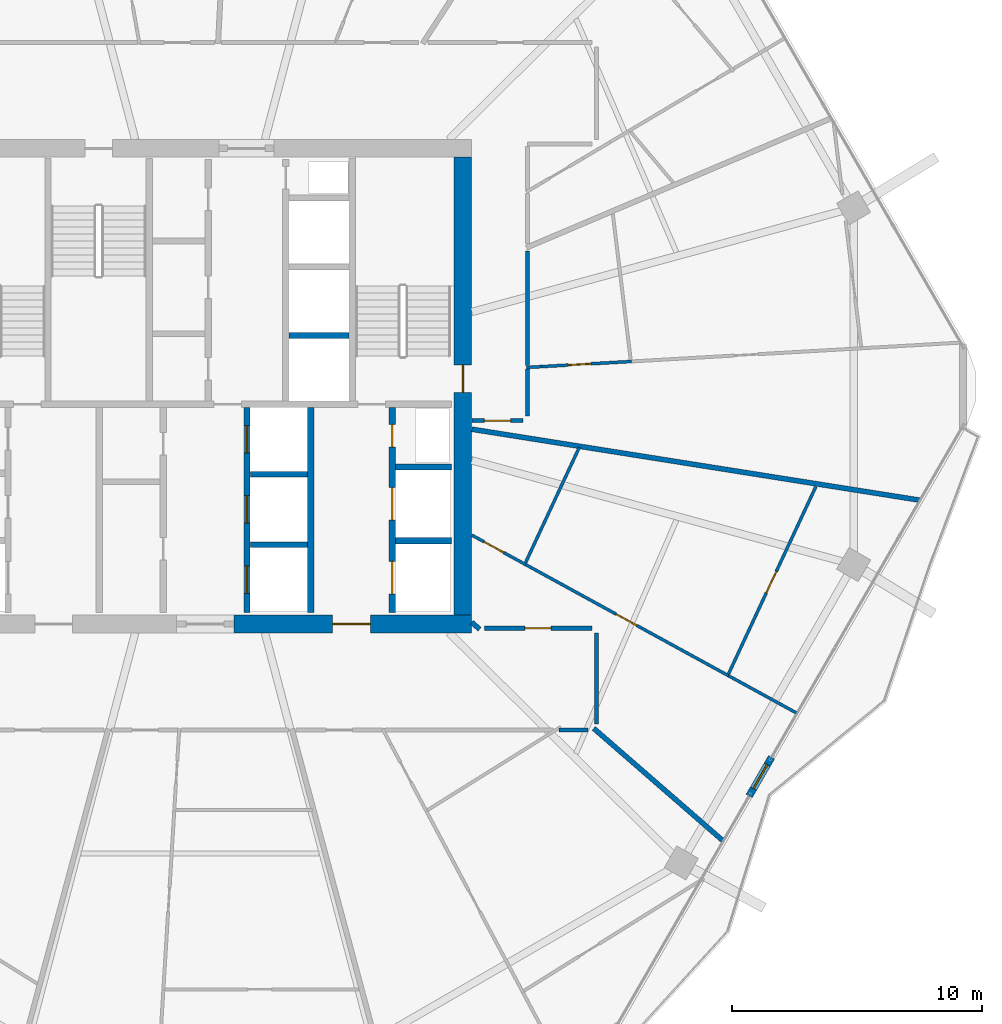
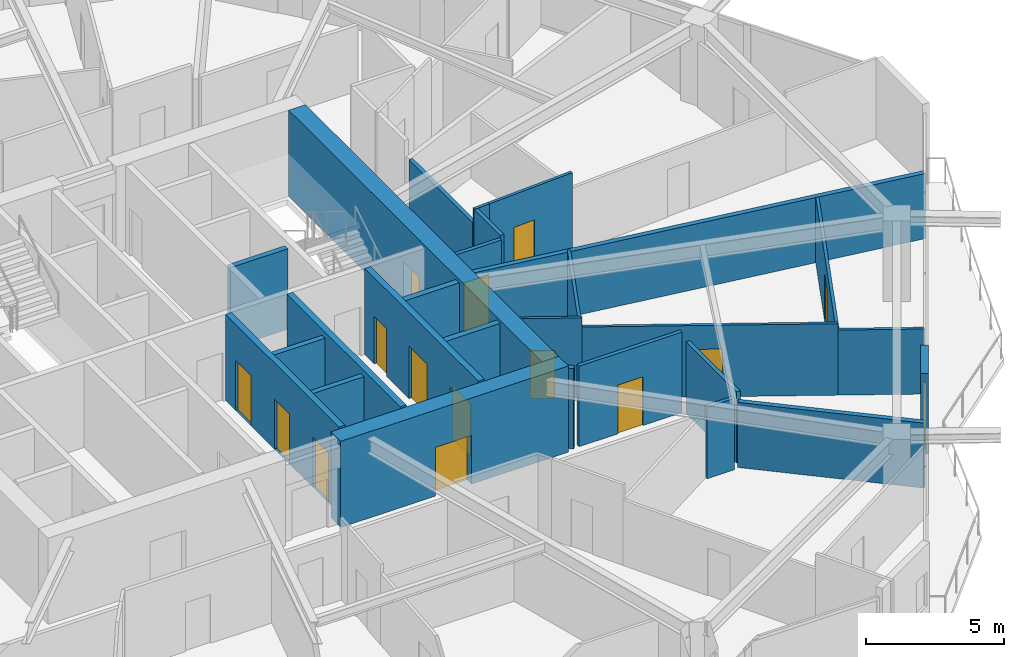
# One storey, part 19 of 26: 27 walls, 15 doors, 15 openings.
"""IFC4 building model written with IfcOpenShell, lengths in metres."""

from ifc_helpers import new_model, si_unit, direction, frame, frame_2d, origin, place, context, subcontext, project, spatial, rectangle, extrude, material, layer, layer_set, type_object, element, fill, save


model = new_model("IFC4")

# Units and contexts
model_context = context("Model", 3, precision=1e-05, world=origin(), true_north=direction((0.0, 1.0)))
body_context = subcontext(model_context, "Body", "Model", "MODEL_VIEW")
ifc_project = project(units=[si_unit("LENGTHUNIT", "METRE"), si_unit("AREAUNIT", "SQUARE_METRE"), si_unit("VOLUMEUNIT", "CUBIC_METRE"), si_unit("PLANEANGLEUNIT", "RADIAN"), si_unit("MASSUNIT", "GRAM", prefix="KILO")], contexts=[model_context])

# Site, building, storey
site_placement = place(None, origin())
site = spatial("IfcSite", under=ifc_project, at=site_placement, CompositionType="ELEMENT")
building_placement = place(site_placement, origin())
building = spatial("IfcBuilding", under=site, at=building_placement, Name="Zuhravey Tower", CompositionType="ELEMENT")
storey_placement = place(building_placement, frame((0.0, 0.0, 165.60009765625)))
storey = spatial("IfcBuildingStorey", under=building, at=storey_placement, Name="L41", CompositionType="ELEMENT", Elevation=165.60009765625)

# Wall, opening, door
ifc_material_1 = material(Name="Concrete C60/75", Category="concrete")
ifc_layer_1 = layer(ifc_material_1, 0.699951171875)
ifc_layer_set_1 = layer_set([ifc_layer_1], Name="Concrete C60/75")
wall_type_1 = type_object("IfcWallType", Name="Core Shear Wall 700", PredefinedType="SHEAR", material=ifc_layer_set_1)
wall_1_placement = place(storey_placement, frame((37.35009765625, 22.5, 0.0), z_axis=(0.0, 0.0, 1.0), x_axis=(1.0, 0.0, 0.0)))
wall_1 = element("IfcWall", 1, at=wall_1_placement, inside=storey, type_object=wall_type_1, Name="L41 South-East Core Shear Wall CW70", PredefinedType="SHEAR", context=body_context, shape_type="SweptSolid", body=[
    extrude(rectangle(XDim=9.5, YDim=0.699951171875, at=frame_2d((4.75, 0.0))), origin(), (0.0, 0.0, 1.0), 3.7998046875),
])
opening_1_placement = place(wall_1_placement, frame((3.949951171875, 0.0, 0.0)))
opening_1 = element("IfcOpeningElement", 2, at=opening_1_placement, cuts=wall_1, Name="Opening FFD1", PredefinedType="OPENING", context=body_context, shape_type="SweptSolid", body=[
    extrude(rectangle(XDim=1.5, YDim=2.14990234375, at=frame_2d((0.75, 1.074951171875))), frame((0.0, 0.362060546875, 0.0), z_axis=(0.0, -1.0, 0.0), x_axis=(1.0, 0.0, 0.0)), (0.0, 0.0, 1.0), 0.723876953125),
])
ifc_material_2 = material(Name="Galvanised fire-rated steel leaf", Category="steel")
door_type_1 = type_object("IfcDoorType", Name="Firefighting Lobby Double Door 1500x2150", OperationType="DOUBLE_DOOR_SINGLE_SWING", PredefinedType="DOOR", material=ifc_material_2)
door_1_placement = place(opening_1_placement, origin())
door_1 = element("IfcDoor", 3, at=door_1_placement, inside=storey, type_object=door_type_1, Name="L41 Firefighting Lobby East Door", OperationType="DOUBLE_DOOR_SINGLE_SWING", OverallHeight=2.14990234375, OverallWidth=1.5, PredefinedType="DOOR", context=body_context, shape_type="SweptSolid", body=[
    extrude(rectangle(XDim=1.5, YDim=2.14990234375, at=frame_2d((0.75, 1.074951171875))), frame((0.0, 0.02490234375, 0.0), z_axis=(0.0, -1.0, 0.0), x_axis=(1.0, 0.0, 0.0)), (0.0, 0.0, 1.0), 0.050048828125),
])
fill(opening_1, door_1)

wall_2_placement = place(storey_placement, frame((46.5, 22.85009765625, 0.0), z_axis=(0.0, 0.0, 1.0), x_axis=(0.0, 1.0, 0.0)))
wall_2 = element("IfcWall", 4, at=wall_2_placement, inside=storey, type_object=wall_type_1, Name="L41 East Core Shear Wall CW70", PredefinedType="SHEAR", context=body_context, shape_type="SweptSolid", body=[
    extrude(rectangle(XDim=18.2998046875, YDim=0.699951171875, at=frame_2d((9.14990234375, 0.0))), origin(), (0.0, 0.0, 1.0), 3.7998046875),
])
opening_2_placement = place(wall_2_placement, frame((8.89990234375, 0.0, 0.0)))
opening_2 = element("IfcOpeningElement", 5, at=opening_2_placement, cuts=wall_2, Name="Opening STD1", PredefinedType="OPENING", context=body_context, shape_type="SweptSolid", body=[
    extrude(rectangle(XDim=1.10009765625, YDim=2.14990234375, at=frame_2d((0.550048828125, 1.074951171875))), frame((0.0, 0.362060546875, 0.0), z_axis=(0.0, -1.0, 0.0), x_axis=(1.0, 0.0, 0.0)), (0.0, 0.0, 1.0), 0.723876953125),
])
door_type_2 = type_object("IfcDoorType", Name="Protected Stair Fire Door 1100x2150", OperationType="NOTDEFINED", PredefinedType="USERDEFINED", material=ifc_material_2)
door_2_placement = place(opening_2_placement, origin())
door_2 = element("IfcDoor", 6, at=door_2_placement, inside=storey, type_object=door_type_2, Name="L41 Stair ST2 Door", ObjectType="EXITDOOR", OperationType="SINGLE_SWING_LEFT", OverallHeight=2.14990234375, OverallWidth=1.10009765625, PredefinedType="USERDEFINED", context=body_context, shape_type="SweptSolid", body=[
    extrude(rectangle(XDim=1.10009765625, YDim=2.14990234375, at=frame_2d((0.550048828125, 1.074951171875))), frame((0.0, 0.02490234375, 0.0), z_axis=(0.0, -1.0, 0.0), x_axis=(1.0, 0.0, 0.0)), (0.0, 0.0, 1.0), 0.050048828125),
])
fill(opening_2, door_2)

ifc_material_3 = material(Name="Gypsum fire-rated stud partition")
ifc_layer_2 = layer(ifc_material_3, 0.159912109375)
ifc_layer_set_2 = layer_set([ifc_layer_2], Name="Gypsum fire-rated stud partition")
wall_type_2 = type_object("IfcWallType", Name="Corridor Fire Partition 160", PredefinedType="PARTITIONING", material=ifc_layer_set_2)
wall_3_placement = place(storey_placement, frame((51.64990234375, 22.330078125, 0.0), z_axis=(0.0, 0.0, 1.0), x_axis=(-1.0, 0.0, 0.0)))
wall_3 = element("IfcWall", 7, at=wall_3_placement, inside=storey, type_object=wall_type_2, Name="L41 IW16 Partition 062", PredefinedType="PARTITIONING", context=body_context, shape_type="SweptSolid", body=[
    extrude(rectangle(XDim=4.297119140625, YDim=0.159912109375, at=frame_2d((2.1484375, 0.0))), origin(), (0.0, 0.0, 1.0), 3.5498046875),
])
opening_3_placement = place(wall_3_placement, frame((1.62353515625, 0.0, 0.0)))
opening_3 = element("IfcOpeningElement", 8, at=opening_3_placement, cuts=wall_3, Name="Opening APD1", PredefinedType="OPENING", context=body_context, shape_type="SweptSolid", body=[
    extrude(rectangle(XDim=1.050048828125, YDim=2.14990234375, at=frame_2d((0.52490234375, 1.074951171875))), frame((0.0, 0.092041015625, 0.0), z_axis=(0.0, -1.0, 0.0), x_axis=(1.0, 0.0, 0.0)), (0.0, 0.0, 1.0), 0.183837890625),
])
ifc_material_4 = material(Name="Solid-core oak fire-rated leaf")
door_type_3 = type_object("IfcDoorType", Name="Apartment Entrance Fire Door 1050x2150", OperationType="NOTDEFINED", PredefinedType="DOOR", material=ifc_material_4)
door_3_placement = place(opening_3_placement, origin())
door_3 = element("IfcDoor", 9, at=door_3_placement, inside=storey, type_object=door_type_3, Name="L41 Door 062.1", OperationType="SINGLE_SWING_LEFT", OverallHeight=2.14990234375, OverallWidth=1.050048828125, PredefinedType="DOOR", context=body_context, shape_type="SweptSolid", body=[
    extrude(rectangle(XDim=1.050048828125, YDim=2.14990234375, at=frame_2d((0.52490234375, 1.074951171875))), frame((0.0, 0.02490234375, 0.0), z_axis=(0.0, -1.0, 0.0), x_axis=(1.0, 0.0, 0.0)), (0.0, 0.0, 1.0), 0.050048828125),
])
fill(opening_3, door_3)

wall_4_placement = place(storey_placement, frame((46.8701171875, 30.6201171875, 0.0), z_axis=(0.0, 0.0, 1.0), x_axis=(1.0, 0.0, 0.0)))
wall_4 = element("IfcWall", 10, at=wall_4_placement, inside=storey, type_object=wall_type_2, Name="L41 IW16 Partition 066", PredefinedType="PARTITIONING", context=body_context, shape_type="SweptSolid", body=[
    extrude(rectangle(XDim=2.02978515625, YDim=0.159912109375, at=frame_2d((1.014892578125, 0.0))), origin(), (0.0, 0.0, 1.0), 3.5498046875),
])
opening_4_placement = place(wall_4_placement, frame((0.489990234375, 0.0, 0.0)))
opening_4 = element("IfcOpeningElement", 11, at=opening_4_placement, cuts=wall_4, Name="Opening APD1", PredefinedType="OPENING", context=body_context, shape_type="SweptSolid", body=[
    extrude(rectangle(XDim=1.050048828125, YDim=2.14990234375, at=frame_2d((0.52490234375, 1.074951171875))), frame((0.0, 0.092041015625, 0.0), z_axis=(0.0, -1.0, 0.0), x_axis=(1.0, 0.0, 0.0)), (0.0, 0.0, 1.0), 0.183837890625),
])
door_4_placement = place(opening_4_placement, origin())
door_4 = element("IfcDoor", 12, at=door_4_placement, inside=storey, type_object=door_type_3, Name="L41 Door 066.1", OperationType="SINGLE_SWING_LEFT", OverallHeight=2.14990234375, OverallWidth=1.050048828125, PredefinedType="DOOR", context=body_context, shape_type="SweptSolid", body=[
    extrude(rectangle(XDim=1.050048828125, YDim=2.14990234375, at=frame_2d((0.52490234375, 1.074951171875))), frame((0.0, 0.02490234375, 0.0), z_axis=(0.0, -1.0, 0.0), x_axis=(1.0, 0.0, 0.0)), (0.0, 0.0, 1.0), 0.050048828125),
])
fill(opening_4, door_4)

# Walls
wall_5_placement = place(storey_placement, frame((50.346435546875, 18.27001953125, 0.0), z_axis=(0.0, 0.0, 1.0), x_axis=(1.0, 0.0, 0.0)))
element("IfcWall", 13, at=wall_5_placement, inside=storey, type_object=wall_type_2, Name="L41 IW16 Partition 140", PredefinedType="PARTITIONING", context=body_context, shape_type="SweptSolid", body=[
    extrude(rectangle(XDim=1.142333984375, YDim=0.159912109375, at=frame_2d((0.5712890625, 0.0))), origin(), (0.0, 0.0, 1.0), 3.14990234375),
])
wall_6_placement = place(storey_placement, frame((51.830078125, 18.506103515625, 0.0), z_axis=(0.0, 0.0, 1.0), x_axis=(0.0, 1.0, 0.0)))
element("IfcWall", 14, at=wall_6_placement, inside=storey, type_object=wall_type_2, Name="L41 IW16 Partition 141", PredefinedType="PARTITIONING", context=body_context, shape_type="SweptSolid", body=[
    extrude(rectangle(XDim=3.643798828125, YDim=0.159912109375, at=frame_2d((1.82177734375, 0.0))), origin(), (0.0, 0.0, 1.0), 3.14990234375),
])
wall_7_placement = place(storey_placement, frame((49.080078125, 30.800048828125, 0.0), z_axis=(0.0, 0.0, 1.0), x_axis=(0.0, 1.0, 0.0)))
element("IfcWall", 15, at=wall_7_placement, inside=storey, type_object=wall_type_2, Name="L41 IW16 Partition 142", PredefinedType="PARTITIONING", context=body_context, shape_type="SweptSolid", body=[
    extrude(rectangle(XDim=1.88134765625, YDim=0.159912109375, at=frame_2d((0.940673828125, 0.0))), origin(), (0.0, 0.0, 1.0), 3.5498046875),
])
wall_8_placement = place(storey_placement, frame((49.080078125, 32.817626953125, 0.0), z_axis=(0.0, 0.0, 1.0), x_axis=(0.0, 1.0, 0.0)))
element("IfcWall", 16, at=wall_8_placement, inside=storey, type_object=wall_type_2, Name="L41 IW16 Partition 143", PredefinedType="PARTITIONING", context=body_context, shape_type="SweptSolid", body=[
    extrude(rectangle(XDim=4.57861328125, YDim=0.159912109375, at=frame_2d((2.289306640625, 0.0))), origin(), (0.0, 0.0, 1.0), 2.89990234375),
])

# Wall, opening, door
ifc_material_5 = material(Name="Precast concrete C40/50", Category="concrete")
ifc_layer_3 = layer(ifc_material_5, 0.280029296875)
ifc_layer_set_3 = layer_set([ifc_layer_3], Name="Precast concrete C40/50")
wall_type_3 = type_object("IfcWallType", Name="Crown Architectural Wall 280", PredefinedType="SOLIDWALL", material=ifc_layer_set_3)
wall_9_placement = place(storey_placement, frame((58.830810546875, 17.177978515625, 0.0), z_axis=(0.0, 0.0, 1.0), x_axis=(-0.500041240653, -0.866001592173, 0.0)))
wall_9 = element("IfcWall", 17, at=wall_9_placement, inside=storey, type_object=wall_type_3, Name="L41 Face 6 Facade Pier EW28-1", PredefinedType="SOLIDWALL", context=body_context, shape_type="SweptSolid", body=[
    extrude(rectangle(XDim=1.789794921875, YDim=0.280029296875, at=frame_2d((0.89501953125, 0.0))), origin(), (0.0, 0.0, 1.0), 3.5498046875),
])
opening_5_placement = place(wall_9_placement, frame((0.344970703125, 0.0, 0.0)))
opening_5 = element("IfcOpeningElement", 18, at=opening_5_placement, cuts=wall_9, Name="Opening BLD1", PredefinedType="OPENING", context=body_context, shape_type="SweptSolid", body=[
    extrude(rectangle(XDim=1.10009765625, YDim=2.199951171875, at=frame_2d((0.550048828125, 1.10009765625))), frame((0.0, 0.152099609375, 0.0), z_axis=(0.0, -1.0, 0.0), x_axis=(1.0, 0.0, 0.0)), (0.0, 0.0, 1.0), 0.303955078125),
])
ifc_material_6 = material(Name="Thermally broken aluminium and low-E glass", Category="aluminium")
door_type_4 = type_object("IfcDoorType", Name="Balcony & Sky-Tray Glazed Door 1100x2200", OperationType="NOTDEFINED", PredefinedType="DOOR", material=ifc_material_6)
door_5_placement = place(opening_5_placement, frame((1.10009765625, 0.0, 0.0), z_axis=(0.0, 0.0, 1.0), x_axis=(-1.0, 0.0, 0.0)))
door_5 = element("IfcDoor", 19, at=door_5_placement, inside=storey, type_object=door_type_4, Name="L41 Face 6 Wave Balcony Door", OperationType="SINGLE_SWING_LEFT", OverallHeight=2.199951171875, OverallWidth=1.10009765625, PredefinedType="DOOR", context=body_context, shape_type="SweptSolid", body=[
    extrude(rectangle(XDim=1.10009765625, YDim=2.199951171875, at=frame_2d((0.550048828125, 1.10009765625))), frame((0.0, 0.02490234375, 0.0), z_axis=(0.0, -1.0, 0.0), x_axis=(1.0, 0.0, 0.0)), (0.0, 0.0, 1.0), 0.050048828125),
])
fill(opening_5, door_5)

# Wall, openings, doors
ifc_material_7 = material(Name="Concrete C50/60", Category="concrete")
ifc_layer_4 = layer(ifc_material_7, 0.25)
ifc_layer_set_4 = layer_set([ifc_layer_4], Name="Concrete C50/60")
wall_type_4 = type_object("IfcWallType", Name="Firefighting Shaft & Stair Wall 250", PredefinedType="SOLIDWALL", material=ifc_layer_set_4)
wall_10_placement = place(storey_placement, frame((37.875, 22.949951171875, 0.0), z_axis=(0.0, 0.0, 1.0), x_axis=(0.0, 1.0, 0.0)))
wall_10 = element("IfcWall", 20, at=wall_10_placement, inside=storey, type_object=wall_type_4, Name="L41 FW25 Shaft Wall 014", PredefinedType="SOLIDWALL", context=body_context, shape_type="SweptSolid", body=[
    extrude(rectangle(XDim=8.199951171875, YDim=0.25, at=frame_2d((4.10009765625, 0.0))), origin(), (0.0, 0.0, 1.0), 3.7998046875),
])
opening_6_placement = place(wall_10_placement, frame((0.77490234375, 0.0, 0.0)))
opening_6 = element("IfcOpeningElement", 21, at=opening_6_placement, cuts=wall_10, Name="Opening LD1", PredefinedType="OPENING", context=body_context, shape_type="SweptSolid", body=[
    extrude(rectangle(XDim=1.10009765625, YDim=2.199951171875, at=frame_2d((0.550048828125, 1.10009765625))), frame((0.0, 0.136962890625, 0.0), z_axis=(0.0, -1.0, 0.0), x_axis=(1.0, 0.0, 0.0)), (0.0, 0.0, 1.0), 0.27392578125),
])
opening_7_placement = place(wall_10_placement, frame((3.574951171875, 0.0, 0.0)))
opening_7 = element("IfcOpeningElement", 22, at=opening_7_placement, cuts=wall_10, Name="Opening LD1", PredefinedType="OPENING", context=body_context, shape_type="SweptSolid", body=[
    extrude(rectangle(XDim=1.10009765625, YDim=2.199951171875, at=frame_2d((0.550048828125, 1.10009765625))), frame((0.0, 0.136962890625, 0.0), z_axis=(0.0, -1.0, 0.0), x_axis=(1.0, 0.0, 0.0)), (0.0, 0.0, 1.0), 0.27392578125),
])
opening_8_placement = place(wall_10_placement, frame((6.375, 0.0, 0.0)))
opening_8 = element("IfcOpeningElement", 23, at=opening_8_placement, cuts=wall_10, Name="Opening LD1", PredefinedType="OPENING", context=body_context, shape_type="SweptSolid", body=[
    extrude(rectangle(XDim=1.10009765625, YDim=2.199951171875, at=frame_2d((0.550048828125, 1.10009765625))), frame((0.0, 0.136962890625, 0.0), z_axis=(0.0, -1.0, 0.0), x_axis=(1.0, 0.0, 0.0)), (0.0, 0.0, 1.0), 0.27392578125),
])
ifc_material_8 = material(Name="Brushed stainless steel", Category="steel")
door_type_5 = type_object("IfcDoorType", Name="Lift Landing Sliding Door 1100x2200", OperationType="DOUBLE_DOOR_SLIDING", PredefinedType="DOOR", material=ifc_material_8)
door_6_placement = place(opening_6_placement, origin())
door_6 = element("IfcDoor", 24, at=door_6_placement, inside=storey, type_object=door_type_5, Name="L41 Lift PL4 Landing Door", OperationType="DOUBLE_DOOR_SLIDING", OverallHeight=2.199951171875, OverallWidth=1.10009765625, PredefinedType="DOOR", context=body_context, shape_type="SweptSolid", body=[
    extrude(rectangle(XDim=1.10009765625, YDim=2.199951171875, at=frame_2d((0.550048828125, 1.10009765625))), frame((0.0, 0.02490234375, 0.0), z_axis=(0.0, -1.0, 0.0), x_axis=(1.0, 0.0, 0.0)), (0.0, 0.0, 1.0), 0.050048828125),
])
fill(opening_6, door_6)
door_7_placement = place(opening_7_placement, origin())
door_7 = element("IfcDoor", 25, at=door_7_placement, inside=storey, type_object=door_type_5, Name="L41 Lift PL5 Landing Door", OperationType="DOUBLE_DOOR_SLIDING", OverallHeight=2.199951171875, OverallWidth=1.10009765625, PredefinedType="DOOR", context=body_context, shape_type="SweptSolid", body=[
    extrude(rectangle(XDim=1.10009765625, YDim=2.199951171875, at=frame_2d((0.550048828125, 1.10009765625))), frame((0.0, 0.02490234375, 0.0), z_axis=(0.0, -1.0, 0.0), x_axis=(1.0, 0.0, 0.0)), (0.0, 0.0, 1.0), 0.050048828125),
])
fill(opening_7, door_7)
door_8_placement = place(opening_8_placement, origin())
door_8 = element("IfcDoor", 26, at=door_8_placement, inside=storey, type_object=door_type_5, Name="L41 Lift PL6 Landing Door", OperationType="DOUBLE_DOOR_SLIDING", OverallHeight=2.199951171875, OverallWidth=1.10009765625, PredefinedType="DOOR", context=body_context, shape_type="SweptSolid", body=[
    extrude(rectangle(XDim=1.10009765625, YDim=2.199951171875, at=frame_2d((0.550048828125, 1.10009765625))), frame((0.0, 0.02490234375, 0.0), z_axis=(0.0, -1.0, 0.0), x_axis=(1.0, 0.0, 0.0)), (0.0, 0.0, 1.0), 0.050048828125),
])
fill(opening_8, door_8)

# Walls
wall_11_placement = place(storey_placement, frame((40.425048828125, 22.949951171875, 0.0), z_axis=(0.0, 0.0, 1.0), x_axis=(0.0, 1.0, 0.0)))
element("IfcWall", 27, at=wall_11_placement, inside=storey, type_object=wall_type_4, Name="L41 FW25 Shaft Wall 015", PredefinedType="SOLIDWALL", context=body_context, shape_type="SweptSolid", body=[
    extrude(rectangle(XDim=8.199951171875, YDim=0.25, at=frame_2d((4.10009765625, 0.0))), origin(), (0.0, 0.0, 1.0), 3.7998046875),
])
for number, where, z_axis, x_axis, name in (
    (28, (43.800048828125, 25.824951171875, 0.0), (0.0, 0.0, 1.0), (1.0, 0.0, 0.0), "L41 FW25 Shaft Wall 016"),
    (29, (43.800048828125, 28.77490234375, 0.0), (0.0, 0.0, 1.0), (1.0, 0.0, 0.0), "L41 FW25 Shaft Wall 017"),
):
    element("IfcWall", number, at=place(storey_placement, frame(where, z_axis=z_axis, x_axis=x_axis)), inside=storey, type_object=wall_type_4, Name=name, PredefinedType="SOLIDWALL", context=body_context, shape_type="SweptSolid", body=[
        extrude(rectangle(XDim=2.25, YDim=0.25, at=frame_2d((1.125, 0.0))), origin(), (0.0, 0.0, 1.0), 3.7998046875),
    ])

# Wall, openings, doors
wall_12_placement = place(storey_placement, frame((43.675048828125, 22.949951171875, 0.0), z_axis=(0.0, 0.0, 1.0), x_axis=(0.0, 1.0, 0.0)))
wall_12 = element("IfcWall", 30, at=wall_12_placement, inside=storey, type_object=wall_type_4, Name="L41 FW25 Shaft Wall 018", PredefinedType="SOLIDWALL", context=body_context, shape_type="SweptSolid", body=[
    extrude(rectangle(XDim=8.199951171875, YDim=0.25, at=frame_2d((4.10009765625, 0.0))), origin(), (0.0, 0.0, 1.0), 3.7998046875),
])
opening_9_placement = place(wall_12_placement, frame((0.75, 0.0, 0.0)))
opening_9 = element("IfcOpeningElement", 31, at=opening_9_placement, cuts=wall_12, Name="Opening LD2", PredefinedType="OPENING", context=body_context, shape_type="SweptSolid", body=[
    extrude(rectangle(XDim=1.300048828125, YDim=2.300048828125, at=frame_2d((0.64990234375, 1.14990234375))), frame((0.0, 0.136962890625, 0.0), z_axis=(0.0, -1.0, 0.0), x_axis=(1.0, 0.0, 0.0)), (0.0, 0.0, 1.0), 0.27392578125),
])
opening_10_placement = place(wall_12_placement, frame((3.699951171875, 0.0, 0.0)))
opening_10 = element("IfcOpeningElement", 32, at=opening_10_placement, cuts=wall_12, Name="Opening LD2", PredefinedType="OPENING", context=body_context, shape_type="SweptSolid", body=[
    extrude(rectangle(XDim=1.300048828125, YDim=2.300048828125, at=frame_2d((0.64990234375, 1.14990234375))), frame((0.0, 0.136962890625, 0.0), z_axis=(0.0, -1.0, 0.0), x_axis=(1.0, 0.0, 0.0)), (0.0, 0.0, 1.0), 0.27392578125),
])
opening_11_placement = place(wall_12_placement, frame((6.6201171875, 0.0, 0.0)))
opening_11 = element("IfcOpeningElement", 33, at=opening_11_placement, cuts=wall_12, Name="Opening RSD1", PredefinedType="OPENING", context=body_context, shape_type="SweptSolid", body=[
    extrude(rectangle(XDim=0.89990234375, YDim=2.10009765625, at=frame_2d((0.449951171875, 1.050048828125))), frame((0.0, 0.136962890625, 0.0), z_axis=(0.0, -1.0, 0.0), x_axis=(1.0, 0.0, 0.0)), (0.0, 0.0, 1.0), 0.27392578125),
])
door_type_6 = type_object("IfcDoorType", Name="Freight & Stretcher Lift Sliding Door 1300x2300", OperationType="DOUBLE_DOOR_SLIDING", PredefinedType="DOOR", material=ifc_material_8)
door_9_placement = place(opening_9_placement, origin())
door_9 = element("IfcDoor", 34, at=door_9_placement, inside=storey, type_object=door_type_6, Name="L41 Lift FF2 Landing Door", OperationType="DOUBLE_DOOR_SLIDING", OverallHeight=2.300048828125, OverallWidth=1.300048828125, PredefinedType="DOOR", context=body_context, shape_type="SweptSolid", body=[
    extrude(rectangle(XDim=1.300048828125, YDim=2.300048828125, at=frame_2d((0.64990234375, 1.14990234375))), frame((0.0, 0.02490234375, 0.0), z_axis=(0.0, -1.0, 0.0), x_axis=(1.0, 0.0, 0.0)), (0.0, 0.0, 1.0), 0.050048828125),
])
fill(opening_9, door_9)
door_10_placement = place(opening_10_placement, origin())
door_10 = element("IfcDoor", 35, at=door_10_placement, inside=storey, type_object=door_type_6, Name="L41 Lift SV1 Landing Door", OperationType="DOUBLE_DOOR_SLIDING", OverallHeight=2.300048828125, OverallWidth=1.300048828125, PredefinedType="DOOR", context=body_context, shape_type="SweptSolid", body=[
    extrude(rectangle(XDim=1.300048828125, YDim=2.300048828125, at=frame_2d((0.64990234375, 1.14990234375))), frame((0.0, 0.02490234375, 0.0), z_axis=(0.0, -1.0, 0.0), x_axis=(1.0, 0.0, 0.0)), (0.0, 0.0, 1.0), 0.050048828125),
])
fill(opening_10, door_10)
ifc_material_9 = material(Name="Galvanised fire-rated steel access leaf", Category="steel")
door_type_7 = type_object("IfcDoorType", Name="Riser & Shaft Access Fire Door 900x2100", OperationType="NOTDEFINED", PredefinedType="DOOR", material=ifc_material_9)
door_11_placement = place(opening_11_placement, origin())
door_11 = element("IfcDoor", 36, at=door_11_placement, inside=storey, type_object=door_type_7, Name="L41 Plumbing Riser Door", OperationType="SINGLE_SWING_RIGHT", OverallHeight=2.10009765625, OverallWidth=0.89990234375, PredefinedType="DOOR", context=body_context, shape_type="SweptSolid", body=[
    extrude(rectangle(XDim=0.89990234375, YDim=2.10009765625, at=frame_2d((0.449951171875, 1.050048828125))), frame((0.0, 0.02490234375, 0.0), z_axis=(0.0, -1.0, 0.0), x_axis=(1.0, 0.0, 0.0)), (0.0, 0.0, 1.0), 0.050048828125),
])
fill(opening_11, door_11)

# Walls
ifc_material_10 = material(Name="Gypsum double-stud party assembly")
ifc_layer_5 = layer(ifc_material_10, 0.199951171875)
ifc_layer_set_5 = layer_set([ifc_layer_5], Name="Gypsum double-stud party assembly")
wall_type_5 = type_object("IfcWallType", Name="Inter-Tenancy Party Wall 200", PredefinedType="PARTITIONING", material=ifc_layer_set_5)
wall_13_placement = place(storey_placement, frame((46.85009765625, 22.568115234375, 0.0), z_axis=(0.0, 0.0, 1.0), x_axis=(0.754890568134, -0.655850768196, 0.0)))
element("IfcWall", 37, at=wall_13_placement, inside=storey, type_object=wall_type_5, Name="L41 IW20 Partition 114", PredefinedType="PARTITIONING", context=body_context, shape_type="SweptSolid", body=[
    extrude(rectangle(XDim=0.424072265625, YDim=0.199951171875, at=frame_2d((0.2119140625, 0.0))), origin(), (0.0, 0.0, 1.0), 3.5498046875),
])
wall_14_placement = place(storey_placement, frame((51.72412109375, 18.331298828125, 0.0), z_axis=(0.0, 0.0, 1.0), x_axis=(0.754712052901, -0.656056184489, 0.0)))
element("IfcWall", 38, at=wall_14_placement, inside=storey, type_object=wall_type_5, Name="L41 IW20 Partition 115", PredefinedType="PARTITIONING", context=body_context, shape_type="SweptSolid", body=[
    extrude(rectangle(XDim=6.857421875, YDim=0.199951171875, at=frame_2d((3.4287109375, 0.0))), origin(), (0.0, 0.0, 1.0), 2.869873046875),
])
wall_15_placement = place(storey_placement, frame((46.85791015625, 30.2802734375, 0.0), z_axis=(0.0, 0.0, 1.0), x_axis=(0.987688144009, -0.156435706229, 0.0)))
element("IfcWall", 39, at=wall_15_placement, inside=storey, type_object=wall_type_5, Name="L41 IW20 Partition 118", PredefinedType="PARTITIONING", context=body_context, shape_type="SweptSolid", body=[
    extrude(rectangle(XDim=18.123779296875, YDim=0.199951171875, at=frame_2d((9.06201171875, 0.0))), origin(), (0.0, 0.0, 1.0), 2.869873046875),
])
ifc_material_11 = material(Name="Gypsum acoustic stud assembly")
ifc_layer_6 = layer(ifc_material_11, 0.219970703125)
ifc_layer_set_6 = layer_set([ifc_layer_6], Name="Gypsum acoustic stud assembly")
wall_type_6 = type_object("IfcWallType", Name="School Acoustic Compartment Wall 220", PredefinedType="PARTITIONING", material=ifc_layer_set_6)
wall_16_placement = place(storey_placement, frame((39.55810546875, 34.02490234375, 0.0), z_axis=(0.0, 0.0, 1.0), x_axis=(1.0, 0.0, 0.0)))
element("IfcWall", 40, at=wall_16_placement, inside=storey, type_object=wall_type_6, Name="L41 IW22 Partition 069", PredefinedType="PARTITIONING", context=body_context, shape_type="SweptSolid", body=[
    extrude(rectangle(XDim=2.3837890625, YDim=0.219970703125, at=frame_2d((1.19189453125, 0.0))), origin(), (0.0, 0.0, 1.0), 3.5498046875),
])
for number, where, z_axis, x_axis, name in (
    (41, (38.008056640625, 25.675048828125, 0.0), (0.0, 0.0, 1.0), (1.0, 0.0, 0.0), "L41 IW22 Partition 073"),
    (42, (38.008056640625, 28.47509765625, 0.0), (0.0, 0.0, 1.0), (1.0, 0.0, 0.0), "L41 IW22 Partition 074"),
):
    element("IfcWall", number, at=place(storey_placement, frame(where, z_axis=z_axis, x_axis=x_axis)), inside=storey, type_object=wall_type_6, Name=name, PredefinedType="PARTITIONING", context=body_context, shape_type="SweptSolid", body=[
        extrude(rectangle(XDim=2.283935546875, YDim=0.219970703125, at=frame_2d((1.14208984375, 0.0))), origin(), (0.0, 0.0, 1.0), 3.5498046875),
    ])

# Wall, opening, door
ifc_material_12 = material(Name="Gypsum metal-stud partition")
ifc_layer_7 = layer(ifc_material_12, 0.1201171875)
ifc_layer_set_7 = layer_set([ifc_layer_7], Name="Gypsum metal-stud partition")
wall_type_7 = type_object("IfcWallType", Name="Unit Internal Partition 120", PredefinedType="PARTITIONING", material=ifc_layer_set_7)
wall_17_placement = place(storey_placement, frame((46.85791015625, 26.050537109375, 0.0), z_axis=(0.0, 0.0, 1.0), x_axis=(0.876994813325, -0.480499841209, 0.0)))
wall_17 = element("IfcWall", 43, at=wall_17_placement, inside=storey, type_object=wall_type_7, Name="L41 IW12 Partition 059", PredefinedType="PARTITIONING", context=body_context, shape_type="SweptSolid", body=[
    extrude(rectangle(XDim=2.4384765625, YDim=0.1201171875, at=frame_2d((1.21923828125, 0.0))), origin(), (0.0, 0.0, 1.0), 3.5498046875),
])
opening_12_placement = place(wall_17_placement, frame((0.55224609375, 0.0, 0.0)))
opening_12 = element("IfcOpeningElement", 44, at=opening_12_placement, cuts=wall_17, Name="Opening WCD1", PredefinedType="OPENING", context=body_context, shape_type="SweptSolid", body=[
    extrude(rectangle(XDim=0.89990234375, YDim=2.10009765625, at=frame_2d((0.449951171875, 1.050048828125))), frame((0.0, 0.072021484375, 0.0), z_axis=(0.0, -1.0, 0.0), x_axis=(1.0, 0.0, 0.0)), (0.0, 0.0, 1.0), 0.14404296875),
])
ifc_material_13 = material(Name="Moisture-resistant timber leaf", Category="wood")
door_type_8 = type_object("IfcDoorType", Name="Bathroom & WC Internal Door 900x2100", OperationType="NOTDEFINED", PredefinedType="DOOR", material=ifc_material_13)
door_12_placement = place(opening_12_placement, origin())
door_12 = element("IfcDoor", 45, at=door_12_placement, inside=storey, type_object=door_type_8, Name="Apartment L41-10 Bathroom Door", OperationType="SINGLE_SWING_RIGHT", OverallHeight=2.10009765625, OverallWidth=0.89990234375, PredefinedType="DOOR", context=body_context, shape_type="SweptSolid", body=[
    extrude(rectangle(XDim=0.89990234375, YDim=2.10009765625, at=frame_2d((0.449951171875, 1.050048828125))), frame((0.0, 0.02490234375, 0.0), z_axis=(0.0, -1.0, 0.0), x_axis=(1.0, 0.0, 0.0)), (0.0, 0.0, 1.0), 0.050048828125),
])
fill(opening_12, door_12)

wall_18_placement = place(storey_placement, frame((48.996337890625, 24.87890625, 0.0), z_axis=(0.0, 0.0, 1.0), x_axis=(0.876975739836, -0.480534651965, 0.0)))
wall_18 = element("IfcWall", 46, at=wall_18_placement, inside=storey, type_object=wall_type_7, Name="L41 IW12 Partition 060", PredefinedType="PARTITIONING", context=body_context, shape_type="SweptSolid", body=[
    extrude(rectangle(XDim=9.24658203125, YDim=0.1201171875, at=frame_2d((4.623291015625, 0.0))), origin(), (0.0, 0.0, 1.0), 3.14990234375),
])
opening_13_placement = place(wall_18_placement, frame((4.123291015625, 0.0, 0.0)))
opening_13 = element("IfcOpeningElement", 47, at=opening_13_placement, cuts=wall_18, Name="Opening IND1", PredefinedType="OPENING", context=body_context, shape_type="SweptSolid", body=[
    extrude(rectangle(XDim=0.949951171875, YDim=2.10009765625, at=frame_2d((0.47509765625, 1.050048828125))), frame((0.0, 0.072021484375, 0.0), z_axis=(0.0, -1.0, 0.0), x_axis=(1.0, 0.0, 0.0)), (0.0, 0.0, 1.0), 0.14404296875),
])
ifc_material_14 = material(Name="Painted engineered timber leaf", Category="wood")
door_type_9 = type_object("IfcDoorType", Name="Internal Room & Bedroom Door 950x2100", OperationType="NOTDEFINED", PredefinedType="DOOR", material=ifc_material_14)
door_13_placement = place(opening_13_placement, origin())
door_13 = element("IfcDoor", 48, at=door_13_placement, inside=storey, type_object=door_type_9, Name="Apartment L41-10 Home Office Door", OperationType="SINGLE_SWING_LEFT", OverallHeight=2.10009765625, OverallWidth=0.949951171875, PredefinedType="DOOR", context=body_context, shape_type="SweptSolid", body=[
    extrude(rectangle(XDim=0.949951171875, YDim=2.10009765625, at=frame_2d((0.47509765625, 1.050048828125))), frame((0.0, 0.02490234375, 0.0), z_axis=(0.0, -1.0, 0.0), x_axis=(1.0, 0.0, 0.0)), (0.0, 0.0, 1.0), 0.050048828125),
])
fill(opening_13, door_13)

wall_19_placement = place(storey_placement, frame((57.1123046875, 20.50927734375, 0.0), z_axis=(0.0, 0.0, 1.0), x_axis=(0.422622958653, 0.906305596815, 0.0)))
wall_19 = element("IfcWall", 49, at=wall_19_placement, inside=storey, type_object=wall_type_7, Name="L41 IW12 Partition 061", PredefinedType="PARTITIONING", context=body_context, shape_type="SweptSolid", body=[
    extrude(rectangle(XDim=8.248779296875, YDim=0.1201171875, at=frame_2d((4.12451171875, 0.0))), origin(), (0.0, 0.0, 1.0), 2.89990234375),
])
opening_14_placement = place(wall_19_placement, frame((3.565185546875, 0.0, 0.0)))
opening_14 = element("IfcOpeningElement", 50, at=opening_14_placement, cuts=wall_19, Name="Opening IND1", PredefinedType="OPENING", context=body_context, shape_type="SweptSolid", body=[
    extrude(rectangle(XDim=0.949951171875, YDim=2.10009765625, at=frame_2d((0.47509765625, 1.050048828125))), frame((0.0, 0.072021484375, 0.0), z_axis=(0.0, -1.0, 0.0), x_axis=(1.0, 0.0, 0.0)), (0.0, 0.0, 1.0), 0.14404296875),
])
door_14_placement = place(opening_14_placement, frame((0.949951171875, 0.0, 0.0), z_axis=(0.0, 0.0, 1.0), x_axis=(-1.0, 0.0, 0.0)))
door_14 = element("IfcDoor", 51, at=door_14_placement, inside=storey, type_object=door_type_9, Name="Apartment L41-10 Kitchen Door", OperationType="SINGLE_SWING_RIGHT", OverallHeight=2.10009765625, OverallWidth=0.949951171875, PredefinedType="DOOR", context=body_context, shape_type="SweptSolid", body=[
    extrude(rectangle(XDim=0.949951171875, YDim=2.10009765625, at=frame_2d((0.47509765625, 1.050048828125))), frame((0.0, 0.02490234375, 0.0), z_axis=(0.0, -1.0, 0.0), x_axis=(1.0, 0.0, 0.0)), (0.0, 0.0, 1.0), 0.050048828125),
])
fill(opening_14, door_14)

wall_20_placement = place(storey_placement, frame((49.64990234375, 32.7822265625, 0.0), z_axis=(0.0, 0.0, 1.0), x_axis=(0.998362032919, 0.057212334562, 0.0)))
wall_20 = element("IfcWall", 52, at=wall_20_placement, inside=storey, type_object=wall_type_7, Name="L41 IW12 Partition 063", PredefinedType="PARTITIONING", context=body_context, shape_type="SweptSolid", body=[
    extrude(rectangle(XDim=3.593017578125, YDim=0.1201171875, at=frame_2d((1.79638671875, 0.0))), origin(), (0.0, 0.0, 1.0), 3.5498046875),
])
opening_15_placement = place(wall_20_placement, frame((1.05908203125, 0.0, 0.0)))
opening_15 = element("IfcOpeningElement", 53, at=opening_15_placement, cuts=wall_20, Name="Opening WCD1", PredefinedType="OPENING", context=body_context, shape_type="SweptSolid", body=[
    extrude(rectangle(XDim=0.89990234375, YDim=2.10009765625, at=frame_2d((0.449951171875, 1.050048828125))), frame((0.0, 0.072021484375, 0.0), z_axis=(0.0, -1.0, 0.0), x_axis=(1.0, 0.0, 0.0)), (0.0, 0.0, 1.0), 0.14404296875),
])
door_15_placement = place(opening_15_placement, origin())
door_15 = element("IfcDoor", 54, at=door_15_placement, inside=storey, type_object=door_type_8, Name="Apartment L41-11 Bathroom Door", OperationType="SINGLE_SWING_RIGHT", OverallHeight=2.10009765625, OverallWidth=0.89990234375, PredefinedType="DOOR", context=body_context, shape_type="SweptSolid", body=[
    extrude(rectangle(XDim=0.89990234375, YDim=2.10009765625, at=frame_2d((0.449951171875, 1.050048828125))), frame((0.0, 0.02490234375, 0.0), z_axis=(0.0, -1.0, 0.0), x_axis=(1.0, 0.0, 0.0)), (0.0, 0.0, 1.0), 0.050048828125),
])
fill(opening_15, door_15)

# Walls
wall_21_placement = place(storey_placement, frame((57.10546875, 20.435546875, 0.0), z_axis=(0.0, 0.0, 1.0), x_axis=(0.876987451506, -0.480513277549, 0.0)))
element("IfcWall", 55, at=wall_21_placement, inside=storey, type_object=wall_type_7, Name="L41 IW12 Partition 116", PredefinedType="PARTITIONING", context=body_context, shape_type="SweptSolid", body=[
    extrude(rectangle(XDim=3.128662109375, YDim=0.1201171875, at=frame_2d((1.564453125, 0.0))), origin(), (0.0, 0.0, 1.0), 2.869873046875),
])
wall_22_placement = place(storey_placement, frame((49.00341796875, 24.95263671875, 0.0), z_axis=(0.0, 0.0, 1.0), x_axis=(0.422601835676, 0.906315446455, 0.0)))
element("IfcWall", 56, at=wall_22_placement, inside=storey, type_object=wall_type_7, Name="L41 IW12 Partition 117", PredefinedType="PARTITIONING", context=body_context, shape_type="SweptSolid", body=[
    extrude(rectangle(XDim=5.089599609375, YDim=0.1201171875, at=frame_2d((2.544921875, 0.0))), origin(), (0.0, 0.0, 1.0), 2.89990234375),
])
wall_23_placement = place(storey_placement, frame((49.034912109375, 32.7470703125, 0.0), z_axis=(0.0, 0.0, 1.0), x_axis=(0.998370044223, 0.057072364576, 0.0)))
element("IfcWall", 57, at=wall_23_placement, inside=storey, type_object=wall_type_7, Name="L41 IW12 Partition 119", PredefinedType="PARTITIONING", context=body_context, shape_type="SweptSolid", body=[
    extrude(rectangle(XDim=0.615966796875, YDim=0.1201171875, at=frame_2d((0.30810546875, 0.0))), origin(), (0.0, 0.0, 1.0), 3.5498046875),
])

save(model, "model.ifc")
